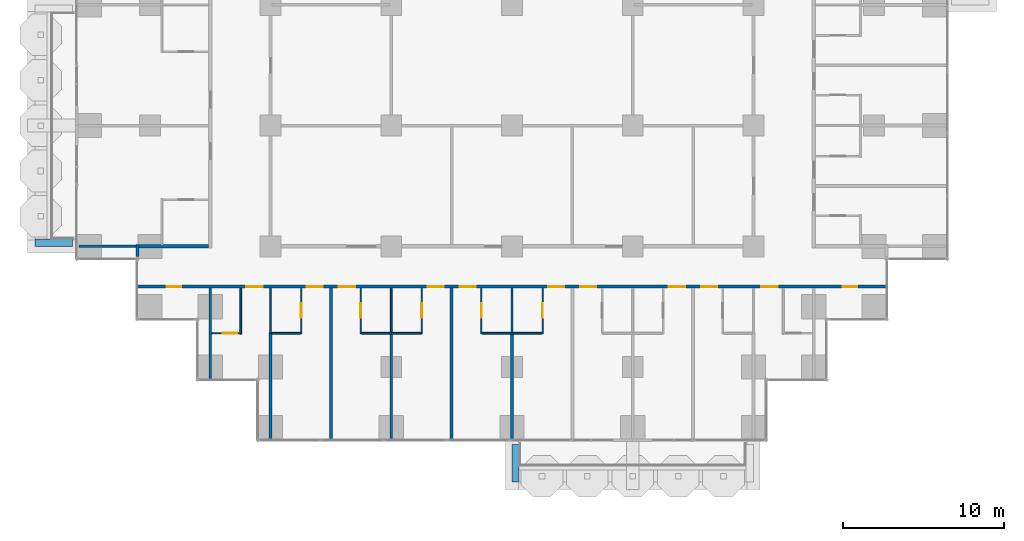
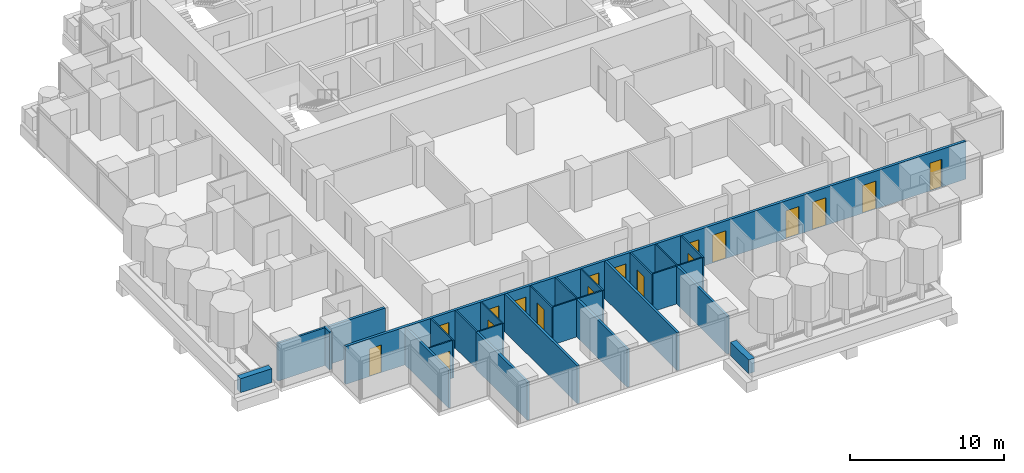
# One storey, part 11 of 20: 25 walls, 18 doors, 18 openings.
"""IFC4 building model written with IfcOpenShell, lengths in metres."""

from ifc_helpers import new_model, si_unit, direction, frame, frame_2d, origin, place, context, subcontext, project, spatial, rectangle, extrude, material, layer, layer_set, type_object, element, fill, save


model = new_model("IFC4")

# Units and contexts
model_context = context("Model", 3, precision=1e-05, world=origin(), true_north=direction((0.0, 1.0)))
body_context = subcontext(model_context, "Body", "Model", "MODEL_VIEW")
ifc_project = project(units=[si_unit("LENGTHUNIT", "METRE"), si_unit("AREAUNIT", "SQUARE_METRE"), si_unit("VOLUMEUNIT", "CUBIC_METRE"), si_unit("PLANEANGLEUNIT", "RADIAN"), si_unit("MASSUNIT", "GRAM", prefix="KILO")], contexts=[model_context])

# Site, building, storey
site_placement = place(None, origin())
site = spatial("IfcSite", under=ifc_project, at=site_placement, CompositionType="ELEMENT")
building_placement = place(site_placement, origin())
building = spatial("IfcBuilding", under=site, at=building_placement, Name="Pilkhan Gate Tower", CompositionType="ELEMENT")
storey_placement = place(building_placement, frame((0.0, 0.0, 92.300048828125)))
storey = spatial("IfcBuildingStorey", under=building, at=storey_placement, Name="L22", CompositionType="ELEMENT", Elevation=92.300048828125)

# Walls
ifc_material_1 = material(Name="Dense blockwork", Category="masonry")
ifc_layer_1 = layer(ifc_material_1, 0.175048828125)
ifc_layer_set_1 = layer_set([ifc_layer_1], Name="Acoustic party wall PW175")
wall_type_1 = type_object("IfcWallType", Name="Acoustic party wall PW175", PredefinedType="PARTITIONING", material=ifc_layer_set_1)
wall_1_placement = place(storey_placement, frame((60.0, 40.485107421875, 0.0), z_axis=(0.0, 0.0, 1.0), x_axis=(0.0, 1.0, 0.0)))
element("IfcWall", 1, at=wall_1_placement, inside=storey, type_object=wall_type_1, Name="Partition L22", PredefinedType="PARTITIONING", context=body_context, shape_type="SweptSolid", body=[
    extrude(rectangle(XDim=6.664794921875, YDim=0.175048828125, at=frame_2d((3.33251953125, 0.0))), origin(), (0.0, 0.0, 1.0), 3.0),
])
wall_2_placement = place(storey_placement, frame((63.75, 40.485107421875, 0.0), z_axis=(0.0, 0.0, 1.0), x_axis=(0.0, 1.0, 0.0)))
element("IfcWall", 2, at=wall_2_placement, inside=storey, type_object=wall_type_1, Name="Partition L22", PredefinedType="PARTITIONING", context=body_context, shape_type="SweptSolid", body=[
    extrude(rectangle(XDim=9.414794921875, YDim=0.175048828125, at=frame_2d((4.70751953125, 0.0))), origin(), (0.0, 0.0, 1.0), 3.0),
])
wall_3_placement = place(storey_placement, frame((67.5, 40.485107421875, 0.0), z_axis=(0.0, 0.0, 1.0), x_axis=(0.0, 1.0, 0.0)))
element("IfcWall", 3, at=wall_3_placement, inside=storey, type_object=wall_type_1, Name="Partition L22", PredefinedType="PARTITIONING", context=body_context, shape_type="SweptSolid", body=[
    extrude(rectangle(XDim=6.56494140625, YDim=0.175048828125, at=frame_2d((3.282470703125, 0.0))), origin(), (0.0, 0.0, 1.0), 3.0),
])
wall_4_placement = place(storey_placement, frame((71.25, 40.485107421875, 0.0), z_axis=(0.0, 0.0, 1.0), x_axis=(0.0, 1.0, 0.0)))
element("IfcWall", 4, at=wall_4_placement, inside=storey, type_object=wall_type_1, Name="Partition L22", PredefinedType="PARTITIONING", context=body_context, shape_type="SweptSolid", body=[
    extrude(rectangle(XDim=9.414794921875, YDim=0.175048828125, at=frame_2d((4.70751953125, 0.0))), origin(), (0.0, 0.0, 1.0), 3.0),
])
wall_5_placement = place(storey_placement, frame((75.0, 40.485107421875, 0.0), z_axis=(0.0, 0.0, 1.0), x_axis=(0.0, 1.0, 0.0)))
element("IfcWall", 5, at=wall_5_placement, inside=storey, type_object=wall_type_1, Name="Partition L22", PredefinedType="PARTITIONING", context=body_context, shape_type="SweptSolid", body=[
    extrude(rectangle(XDim=6.56494140625, YDim=0.175048828125, at=frame_2d((3.282470703125, 0.0))), origin(), (0.0, 0.0, 1.0), 3.0),
])
ifc_material_2 = material(Name="Board-marked Concrete C40/50", Category="concrete")
ifc_layer_2 = layer(ifc_material_2, 0.449951171875)
ifc_layer_set_2 = layer_set([ifc_layer_2], Name="Balcony planter lip BL450")
wall_type_2 = type_object("IfcWallType", Name="Balcony planter lip BL450", PredefinedType="USERDEFINED", material=ifc_layer_set_2)
for number, where, z_axis, x_axis, name in (
    (6, (75.22509765625, 40.199951171875, 0.0), (0.0, 0.0, 1.0), (0.0, -1.0, 0.0), "Balcony planter L22 S"),
    (7, (47.699951171875, 52.72509765625, 0.0), (0.0, 0.0, 1.0), (-1.0, 0.0, 0.0), "Balcony planter L22 W"),
):
    element("IfcWall", number, at=place(storey_placement, frame(where, z_axis=z_axis, x_axis=x_axis)), inside=storey, type_object=wall_type_2, Name=name, ObjectType="BALCONY PLANTER", PredefinedType="USERDEFINED", context=body_context, shape_type="SweptSolid", body=[
        extrude(rectangle(XDim=2.349853515625, YDim=0.449951171875, at=frame_2d((1.1748046875, 0.0))), origin(), (0.0, 0.0, 1.0), 1.099853515625),
    ])

# Wall, openings, doors
ifc_layer_3 = layer(ifc_material_1, 0.199951171875)
ifc_layer_set_3 = layer_set([ifc_layer_3], Name="Corridor wall FW200")
wall_type_3 = type_object("IfcWallType", Name="Corridor wall FW200", PredefinedType="PARTITIONING", material=ifc_layer_set_3)
wall_6_placement = place(storey_placement, frame((51.735107421875, 50.0, 0.0), z_axis=(0.0, 0.0, 1.0), x_axis=(1.0, 0.0, 0.0)))
wall_6 = element("IfcWall", 8, at=wall_6_placement, inside=storey, type_object=wall_type_3, Name="Partition L22", PredefinedType="PARTITIONING", context=body_context, shape_type="SweptSolid", body=[
    extrude(rectangle(XDim=46.52978515625, YDim=0.199951171875, at=frame_2d((23.264892578125, 0.0))), origin(), (0.0, 0.0, 1.0), 3.0),
])
opening_1_placement = place(wall_6_placement, frame((6.764892578125, 0.0, 0.0)))
opening_1 = element("IfcOpeningElement", 9, at=opening_1_placement, cuts=wall_6, Name="Opening L22-06", PredefinedType="OPENING", context=body_context, shape_type="SweptSolid", body=[
    extrude(rectangle(XDim=1.0, YDim=2.199951171875, at=frame_2d((0.5, 1.10009765625))), frame((0.0, 0.10986328125, 0.0), z_axis=(0.0, -1.0, 0.0), x_axis=(1.0, 0.0, 0.0)), (0.0, 0.0, 1.0), 0.219970703125),
])
opening_2_placement = place(wall_6_placement, frame((10.514892578125, 0.0, 0.0)))
opening_2 = element("IfcOpeningElement", 10, at=opening_2_placement, cuts=wall_6, Name="Opening L22-08", PredefinedType="OPENING", context=body_context, shape_type="SweptSolid", body=[
    extrude(rectangle(XDim=1.0, YDim=2.199951171875, at=frame_2d((0.5, 1.10009765625))), frame((0.0, 0.10986328125, 0.0), z_axis=(0.0, -1.0, 0.0), x_axis=(1.0, 0.0, 0.0)), (0.0, 0.0, 1.0), 0.219970703125),
])
opening_3_placement = place(wall_6_placement, frame((12.514892578125, 0.0, 0.0)))
opening_3 = element("IfcOpeningElement", 11, at=opening_3_placement, cuts=wall_6, Name="Opening L22-10", PredefinedType="OPENING", context=body_context, shape_type="SweptSolid", body=[
    extrude(rectangle(XDim=1.0, YDim=2.199951171875, at=frame_2d((0.5, 1.10009765625))), frame((0.0, 0.10986328125, 0.0), z_axis=(0.0, -1.0, 0.0), x_axis=(1.0, 0.0, 0.0)), (0.0, 0.0, 1.0), 0.219970703125),
])
opening_4_placement = place(wall_6_placement, frame((18.014892578125, 0.0, 0.0)))
opening_4 = element("IfcOpeningElement", 12, at=opening_4_placement, cuts=wall_6, Name="Opening L22-12", PredefinedType="OPENING", context=body_context, shape_type="SweptSolid", body=[
    extrude(rectangle(XDim=1.0, YDim=2.199951171875, at=frame_2d((0.5, 1.10009765625))), frame((0.0, 0.10986328125, 0.0), z_axis=(0.0, -1.0, 0.0), x_axis=(1.0, 0.0, 0.0)), (0.0, 0.0, 1.0), 0.219970703125),
])
opening_5_placement = place(wall_6_placement, frame((20.014892578125, 0.0, 0.0)))
opening_5 = element("IfcOpeningElement", 13, at=opening_5_placement, cuts=wall_6, Name="Opening L22-14", PredefinedType="OPENING", context=body_context, shape_type="SweptSolid", body=[
    extrude(rectangle(XDim=1.0, YDim=2.199951171875, at=frame_2d((0.5, 1.10009765625))), frame((0.0, 0.10986328125, 0.0), z_axis=(0.0, -1.0, 0.0), x_axis=(1.0, 0.0, 0.0)), (0.0, 0.0, 1.0), 0.219970703125),
])
opening_6_placement = place(wall_6_placement, frame((25.514892578125, 0.0, 0.0)))
opening_6 = element("IfcOpeningElement", 14, at=opening_6_placement, cuts=wall_6, Name="Opening L22-16", PredefinedType="OPENING", context=body_context, shape_type="SweptSolid", body=[
    extrude(rectangle(XDim=1.0, YDim=2.199951171875, at=frame_2d((0.5, 1.10009765625))), frame((0.0, 0.10986328125, 0.0), z_axis=(0.0, -1.0, 0.0), x_axis=(1.0, 0.0, 0.0)), (0.0, 0.0, 1.0), 0.219970703125),
])
opening_7_placement = place(wall_6_placement, frame((27.514892578125, 0.0, 0.0)))
opening_7 = element("IfcOpeningElement", 15, at=opening_7_placement, cuts=wall_6, Name="Opening L22-18", PredefinedType="OPENING", context=body_context, shape_type="SweptSolid", body=[
    extrude(rectangle(XDim=1.0, YDim=2.199951171875, at=frame_2d((0.5, 1.10009765625))), frame((0.0, 0.10986328125, 0.0), z_axis=(0.0, -1.0, 0.0), x_axis=(1.0, 0.0, 0.0)), (0.0, 0.0, 1.0), 0.219970703125),
])
opening_8_placement = place(wall_6_placement, frame((33.014892578125, 0.0, 0.0)))
opening_8 = element("IfcOpeningElement", 16, at=opening_8_placement, cuts=wall_6, Name="Opening L22-20", PredefinedType="OPENING", context=body_context, shape_type="SweptSolid", body=[
    extrude(rectangle(XDim=1.0, YDim=2.199951171875, at=frame_2d((0.5, 1.10009765625))), frame((0.0, 0.10986328125, 0.0), z_axis=(0.0, -1.0, 0.0), x_axis=(1.0, 0.0, 0.0)), (0.0, 0.0, 1.0), 0.219970703125),
])
opening_9_placement = place(wall_6_placement, frame((35.014892578125, 0.0, 0.0)))
opening_9 = element("IfcOpeningElement", 17, at=opening_9_placement, cuts=wall_6, Name="Opening L22-22", PredefinedType="OPENING", context=body_context, shape_type="SweptSolid", body=[
    extrude(rectangle(XDim=1.0, YDim=2.199951171875, at=frame_2d((0.5, 1.10009765625))), frame((0.0, 0.10986328125, 0.0), z_axis=(0.0, -1.0, 0.0), x_axis=(1.0, 0.0, 0.0)), (0.0, 0.0, 1.0), 0.219970703125),
])
opening_10_placement = place(wall_6_placement, frame((38.764892578125, 0.0, 0.0)))
opening_10 = element("IfcOpeningElement", 18, at=opening_10_placement, cuts=wall_6, Name="Opening L22-24", PredefinedType="OPENING", context=body_context, shape_type="SweptSolid", body=[
    extrude(rectangle(XDim=1.0, YDim=2.199951171875, at=frame_2d((0.5, 1.10009765625))), frame((0.0, 0.10986328125, 0.0), z_axis=(0.0, -1.0, 0.0), x_axis=(1.0, 0.0, 0.0)), (0.0, 0.0, 1.0), 0.219970703125),
])
opening_11_placement = place(wall_6_placement, frame((1.800048828125, 0.0, 0.0)))
opening_11 = element("IfcOpeningElement", 19, at=opening_11_placement, cuts=wall_6, Name="Opening L22-57", PredefinedType="OPENING", context=body_context, shape_type="SweptSolid", body=[
    extrude(rectangle(XDim=0.89990234375, YDim=2.199951171875, at=frame_2d((0.449951171875, 1.10009765625))), frame((0.0, 0.10986328125, 0.0), z_axis=(0.0, -1.0, 0.0), x_axis=(1.0, 0.0, 0.0)), (0.0, 0.0, 1.0), 0.219970703125),
])
opening_12_placement = place(wall_6_placement, frame((43.81494140625, 0.0, 0.0)))
opening_12 = element("IfcOpeningElement", 20, at=opening_12_placement, cuts=wall_6, Name="Opening L22-58", PredefinedType="OPENING", context=body_context, shape_type="SweptSolid", body=[
    extrude(rectangle(XDim=0.89990234375, YDim=2.199951171875, at=frame_2d((0.449951171875, 1.10009765625))), frame((0.0, 0.10986328125, 0.0), z_axis=(0.0, -1.0, 0.0), x_axis=(1.0, 0.0, 0.0)), (0.0, 0.0, 1.0), 0.219970703125),
])
ifc_material_3 = material(Name="Timber flush door, 30 minute fire resisting", Category="wood")
door_type_1 = type_object("IfcDoorType", Name="Guest room door D01 1000x2200", OperationType="SINGLE_SWING_LEFT", PredefinedType="DOOR", material=ifc_material_3)
door_1_placement = place(opening_1_placement, origin())
door_1 = element("IfcDoor", 21, at=door_1_placement, inside=storey, type_object=door_type_1, Name="Guest room door", OperationType="SINGLE_SWING_RIGHT", OverallHeight=2.199951171875, OverallWidth=1.0, PredefinedType="DOOR", context=body_context, shape_type="SweptSolid", body=[
    extrude(rectangle(XDim=1.0, YDim=2.199951171875, at=frame_2d((0.5, 1.10009765625))), frame((0.0, 0.02490234375, 0.0), z_axis=(0.0, -1.0, 0.0), x_axis=(1.0, 0.0, 0.0)), (0.0, 0.0, 1.0), 0.050048828125),
])
fill(opening_1, door_1)
door_2_placement = place(opening_2_placement, origin())
door_2 = element("IfcDoor", 22, at=door_2_placement, inside=storey, type_object=door_type_1, Name="Guest room door", OperationType="SINGLE_SWING_RIGHT", OverallHeight=2.199951171875, OverallWidth=1.0, PredefinedType="DOOR", context=body_context, shape_type="SweptSolid", body=[
    extrude(rectangle(XDim=1.0, YDim=2.199951171875, at=frame_2d((0.5, 1.10009765625))), frame((0.0, 0.02490234375, 0.0), z_axis=(0.0, -1.0, 0.0), x_axis=(1.0, 0.0, 0.0)), (0.0, 0.0, 1.0), 0.050048828125),
])
fill(opening_2, door_2)
door_3_placement = place(opening_3_placement, origin())
door_3 = element("IfcDoor", 23, at=door_3_placement, inside=storey, type_object=door_type_1, Name="Guest room door", OperationType="SINGLE_SWING_RIGHT", OverallHeight=2.199951171875, OverallWidth=1.0, PredefinedType="DOOR", context=body_context, shape_type="SweptSolid", body=[
    extrude(rectangle(XDim=1.0, YDim=2.199951171875, at=frame_2d((0.5, 1.10009765625))), frame((0.0, 0.02490234375, 0.0), z_axis=(0.0, -1.0, 0.0), x_axis=(1.0, 0.0, 0.0)), (0.0, 0.0, 1.0), 0.050048828125),
])
fill(opening_3, door_3)
door_4_placement = place(opening_4_placement, origin())
door_4 = element("IfcDoor", 24, at=door_4_placement, inside=storey, type_object=door_type_1, Name="Guest room door", OperationType="SINGLE_SWING_LEFT", OverallHeight=2.199951171875, OverallWidth=1.0, PredefinedType="DOOR", context=body_context, shape_type="SweptSolid", body=[
    extrude(rectangle(XDim=1.0, YDim=2.199951171875, at=frame_2d((0.5, 1.10009765625))), frame((0.0, 0.02490234375, 0.0), z_axis=(0.0, -1.0, 0.0), x_axis=(1.0, 0.0, 0.0)), (0.0, 0.0, 1.0), 0.050048828125),
])
fill(opening_4, door_4)
door_5_placement = place(opening_5_placement, origin())
door_5 = element("IfcDoor", 25, at=door_5_placement, inside=storey, type_object=door_type_1, Name="Guest room door", OperationType="SINGLE_SWING_RIGHT", OverallHeight=2.199951171875, OverallWidth=1.0, PredefinedType="DOOR", context=body_context, shape_type="SweptSolid", body=[
    extrude(rectangle(XDim=1.0, YDim=2.199951171875, at=frame_2d((0.5, 1.10009765625))), frame((0.0, 0.02490234375, 0.0), z_axis=(0.0, -1.0, 0.0), x_axis=(1.0, 0.0, 0.0)), (0.0, 0.0, 1.0), 0.050048828125),
])
fill(opening_5, door_5)
door_6_placement = place(opening_6_placement, origin())
door_6 = element("IfcDoor", 26, at=door_6_placement, inside=storey, type_object=door_type_1, Name="Guest room door", OperationType="SINGLE_SWING_LEFT", OverallHeight=2.199951171875, OverallWidth=1.0, PredefinedType="DOOR", context=body_context, shape_type="SweptSolid", body=[
    extrude(rectangle(XDim=1.0, YDim=2.199951171875, at=frame_2d((0.5, 1.10009765625))), frame((0.0, 0.02490234375, 0.0), z_axis=(0.0, -1.0, 0.0), x_axis=(1.0, 0.0, 0.0)), (0.0, 0.0, 1.0), 0.050048828125),
])
fill(opening_6, door_6)
door_7_placement = place(opening_7_placement, origin())
door_7 = element("IfcDoor", 27, at=door_7_placement, inside=storey, type_object=door_type_1, Name="Guest room door", OperationType="SINGLE_SWING_LEFT", OverallHeight=2.199951171875, OverallWidth=1.0, PredefinedType="DOOR", context=body_context, shape_type="SweptSolid", body=[
    extrude(rectangle(XDim=1.0, YDim=2.199951171875, at=frame_2d((0.5, 1.10009765625))), frame((0.0, 0.02490234375, 0.0), z_axis=(0.0, -1.0, 0.0), x_axis=(1.0, 0.0, 0.0)), (0.0, 0.0, 1.0), 0.050048828125),
])
fill(opening_7, door_7)
door_8_placement = place(opening_8_placement, origin())
door_8 = element("IfcDoor", 28, at=door_8_placement, inside=storey, type_object=door_type_1, Name="Guest room door", OperationType="SINGLE_SWING_LEFT", OverallHeight=2.199951171875, OverallWidth=1.0, PredefinedType="DOOR", context=body_context, shape_type="SweptSolid", body=[
    extrude(rectangle(XDim=1.0, YDim=2.199951171875, at=frame_2d((0.5, 1.10009765625))), frame((0.0, 0.02490234375, 0.0), z_axis=(0.0, -1.0, 0.0), x_axis=(1.0, 0.0, 0.0)), (0.0, 0.0, 1.0), 0.050048828125),
])
fill(opening_8, door_8)
door_9_placement = place(opening_9_placement, origin())
door_9 = element("IfcDoor", 29, at=door_9_placement, inside=storey, type_object=door_type_1, Name="Guest room door", OperationType="SINGLE_SWING_LEFT", OverallHeight=2.199951171875, OverallWidth=1.0, PredefinedType="DOOR", context=body_context, shape_type="SweptSolid", body=[
    extrude(rectangle(XDim=1.0, YDim=2.199951171875, at=frame_2d((0.5, 1.10009765625))), frame((0.0, 0.02490234375, 0.0), z_axis=(0.0, -1.0, 0.0), x_axis=(1.0, 0.0, 0.0)), (0.0, 0.0, 1.0), 0.050048828125),
])
fill(opening_9, door_9)
door_10_placement = place(opening_10_placement, origin())
door_10 = element("IfcDoor", 30, at=door_10_placement, inside=storey, type_object=door_type_1, Name="Guest room door", OperationType="SINGLE_SWING_LEFT", OverallHeight=2.199951171875, OverallWidth=1.0, PredefinedType="DOOR", context=body_context, shape_type="SweptSolid", body=[
    extrude(rectangle(XDim=1.0, YDim=2.199951171875, at=frame_2d((0.5, 1.10009765625))), frame((0.0, 0.02490234375, 0.0), z_axis=(0.0, -1.0, 0.0), x_axis=(1.0, 0.0, 0.0)), (0.0, 0.0, 1.0), 0.050048828125),
])
fill(opening_10, door_10)
ifc_material_4 = material(Name="Timber flush door, 60 minute fire resisting, self-closing", Category="wood")
door_type_2 = type_object("IfcDoorType", Name="Store door D05 900x2200", OperationType="SINGLE_SWING_LEFT", PredefinedType="DOOR", material=ifc_material_4)
door_11_placement = place(opening_11_placement, origin())
door_11 = element("IfcDoor", 31, at=door_11_placement, inside=storey, type_object=door_type_2, Name="Store door", OperationType="SINGLE_SWING_RIGHT", OverallHeight=2.199951171875, OverallWidth=0.89990234375, PredefinedType="DOOR", context=body_context, shape_type="SweptSolid", body=[
    extrude(rectangle(XDim=0.89990234375, YDim=2.199951171875, at=frame_2d((0.449951171875, 1.10009765625))), frame((0.0, 0.02490234375, 0.0), z_axis=(0.0, -1.0, 0.0), x_axis=(1.0, 0.0, 0.0)), (0.0, 0.0, 1.0), 0.050048828125),
])
fill(opening_11, door_11)
door_12_placement = place(opening_12_placement, origin())
door_12 = element("IfcDoor", 32, at=door_12_placement, inside=storey, type_object=door_type_2, Name="Store door", OperationType="SINGLE_SWING_LEFT", OverallHeight=2.199951171875, OverallWidth=0.89990234375, PredefinedType="DOOR", context=body_context, shape_type="SweptSolid", body=[
    extrude(rectangle(XDim=0.89990234375, YDim=2.199951171875, at=frame_2d((0.449951171875, 1.10009765625))), frame((0.0, 0.02490234375, 0.0), z_axis=(0.0, -1.0, 0.0), x_axis=(1.0, 0.0, 0.0)), (0.0, 0.0, 1.0), 0.050048828125),
])
fill(opening_12, door_12)

# Walls
wall_7_placement = place(storey_placement, frame((51.8349609375, 52.5, 0.0), z_axis=(0.0, 0.0, 1.0), x_axis=(1.0, 0.0, 0.0)))
element("IfcWall", 33, at=wall_7_placement, inside=storey, type_object=wall_type_3, Name="Partition L22", PredefinedType="PARTITIONING", context=body_context, shape_type="SweptSolid", body=[
    extrude(rectangle(XDim=4.31494140625, YDim=0.199951171875, at=frame_2d((2.157470703125, 0.0))), origin(), (0.0, 0.0, 1.0), 3.0),
])
wall_8_placement = place(storey_placement, frame((51.735107421875, 51.85498046875, 0.0), z_axis=(0.0, 0.0, 1.0), x_axis=(0.0, 1.0, 0.0)))
element("IfcWall", 34, at=wall_8_placement, inside=storey, type_object=wall_type_3, Name="Partition L22", PredefinedType="PARTITIONING", context=body_context, shape_type="SweptSolid", body=[
    extrude(rectangle(XDim=0.7451171875, YDim=0.199951171875, at=frame_2d((0.37255859375, 0.0))), origin(), (0.0, 0.0, 1.0), 3.0),
])
ifc_material_5 = material(Name="Blockwork partition, plastered both sides", Category="masonry")
ifc_layer_4 = layer(ifc_material_5, 0.14990234375)
ifc_layer_set_4 = layer_set([ifc_layer_4], Name="Partition PW150")
wall_type_4 = type_object("IfcWallType", Name="Partition PW150", PredefinedType="PARTITIONING", material=ifc_layer_set_4)
wall_9_placement = place(storey_placement, frame((48.10498046875, 52.5, 0.0), z_axis=(0.0, 0.0, 1.0), x_axis=(1.0, 0.0, 0.0)))
element("IfcWall", 35, at=wall_9_placement, inside=storey, type_object=wall_type_4, Name="Partition L22", PredefinedType="PARTITIONING", context=body_context, shape_type="SweptSolid", body=[
    extrude(rectangle(XDim=3.530029296875, YDim=0.14990234375, at=frame_2d((1.76513671875, 0.0))), origin(), (0.0, 0.0, 1.0), 3.0),
])
wall_10_placement = place(storey_placement, frame((56.25, 44.235107421875, 0.0), z_axis=(0.0, 0.0, 1.0), x_axis=(0.0, 1.0, 0.0)))
element("IfcWall", 36, at=wall_10_placement, inside=storey, type_object=wall_type_4, Name="Partition L22", PredefinedType="PARTITIONING", context=body_context, shape_type="SweptSolid", body=[
    extrude(rectangle(XDim=5.664794921875, YDim=0.14990234375, at=frame_2d((2.83251953125, 0.0))), origin(), (0.0, 0.0, 1.0), 3.0),
])

# Wall, opening, door
ifc_material_6 = material(Name="Moisture resistant board, tiled")
ifc_layer_5 = layer(ifc_material_6, 0.10009765625)
ifc_layer_set_5 = layer_set([ifc_layer_5], Name="Wet wall PW100")
wall_type_5 = type_object("IfcWallType", Name="Wet wall PW100", PredefinedType="PARTITIONING", material=ifc_layer_set_5)
wall_11_placement = place(storey_placement, frame((56.324951171875, 47.10009765625, 0.0), z_axis=(0.0, 0.0, 1.0), x_axis=(1.0, 0.0, 0.0)))
wall_11 = element("IfcWall", 37, at=wall_11_placement, inside=storey, type_object=wall_type_5, Name="Partition L22", PredefinedType="PARTITIONING", context=body_context, shape_type="SweptSolid", body=[
    extrude(rectangle(XDim=1.775146484375, YDim=0.10009765625, at=frame_2d((0.8876953125, 0.0))), origin(), (0.0, 0.0, 1.0), 3.0),
])
opening_13_placement = place(wall_11_placement, frame((0.699951171875, 0.0, 0.0)))
opening_13 = element("IfcOpeningElement", 38, at=opening_13_placement, cuts=wall_11, Name="Opening L22-07", PredefinedType="OPENING", context=body_context, shape_type="SweptSolid", body=[
    extrude(rectangle(XDim=0.89990234375, YDim=2.199951171875, at=frame_2d((0.449951171875, 1.10009765625))), frame((0.0, 0.06005859375, 0.0), z_axis=(0.0, -1.0, 0.0), x_axis=(1.0, 0.0, 0.0)), (0.0, 0.0, 1.0), 0.1201171875),
])
ifc_material_7 = material(Name="Timber flush door", Category="wood")
door_type_3 = type_object("IfcDoorType", Name="Bathroom door D02 900x2200", OperationType="SINGLE_SWING_RIGHT", PredefinedType="DOOR", material=ifc_material_7)
door_13_placement = place(opening_13_placement, origin())
door_13 = element("IfcDoor", 39, at=door_13_placement, inside=storey, type_object=door_type_3, Name="Bathroom door", OperationType="SINGLE_SWING_RIGHT", OverallHeight=2.199951171875, OverallWidth=0.89990234375, PredefinedType="DOOR", context=body_context, shape_type="SweptSolid", body=[
    extrude(rectangle(XDim=0.89990234375, YDim=2.199951171875, at=frame_2d((0.449951171875, 1.10009765625))), frame((0.0, 0.02490234375, 0.0), z_axis=(0.0, -1.0, 0.0), x_axis=(1.0, 0.0, 0.0)), (0.0, 0.0, 1.0), 0.050048828125),
])
fill(opening_13, door_13)

# Walls
wall_12_placement = place(storey_placement, frame((60.087890625, 47.10009765625, 0.0), z_axis=(0.0, 0.0, 1.0), x_axis=(1.0, 0.0, 0.0)))
element("IfcWall", 40, at=wall_12_placement, inside=storey, type_object=wall_type_5, Name="Partition L22", PredefinedType="PARTITIONING", context=body_context, shape_type="SweptSolid", body=[
    extrude(rectangle(XDim=1.76220703125, YDim=0.10009765625, at=frame_2d((0.881103515625, 0.0))), origin(), (0.0, 0.0, 1.0), 3.0),
])
for number, where, z_axis, x_axis, name in (
    (41, (65.64990234375, 47.10009765625, 0.0), (0.0, 0.0, 1.0), (1.0, 0.0, 0.0), "Partition L22"),
    (42, (73.14990234375, 47.10009765625, 0.0), (0.0, 0.0, 1.0), (1.0, 0.0, 0.0), "Partition L22"),
):
    element("IfcWall", number, at=place(storey_placement, frame(where, z_axis=z_axis, x_axis=x_axis)), inside=storey, type_object=wall_type_5, Name=name, PredefinedType="PARTITIONING", context=body_context, shape_type="SweptSolid", body=[
        extrude(rectangle(XDim=3.7001953125, YDim=0.10009765625, at=frame_2d((1.85009765625, 0.0))), origin(), (0.0, 0.0, 1.0), 3.0),
    ])
wall_13_placement = place(storey_placement, frame((58.14990234375, 47.050048828125, 0.0), z_axis=(0.0, 0.0, 1.0), x_axis=(0.0, 1.0, 0.0)))
element("IfcWall", 43, at=wall_13_placement, inside=storey, type_object=wall_type_5, Name="Partition L22", PredefinedType="PARTITIONING", context=body_context, shape_type="SweptSolid", body=[
    extrude(rectangle(XDim=2.849853515625, YDim=0.10009765625, at=frame_2d((1.4248046875, 0.0))), origin(), (0.0, 0.0, 1.0), 3.0),
])
wall_14_placement = place(storey_placement, frame((60.0, 47.10009765625, 0.0), z_axis=(0.0, 0.0, 1.0), x_axis=(0.0, 1.0, 0.0)))
element("IfcWall", 44, at=wall_14_placement, inside=storey, type_object=wall_type_5, Name="Partition L22", PredefinedType="PARTITIONING", context=body_context, shape_type="SweptSolid", body=[
    extrude(rectangle(XDim=2.7998046875, YDim=0.10009765625, at=frame_2d((1.39990234375, 0.0))), origin(), (0.0, 0.0, 1.0), 3.0),
])

# Wall, opening, door
wall_15_placement = place(storey_placement, frame((61.89990234375, 47.050048828125, 0.0), z_axis=(0.0, 0.0, 1.0), x_axis=(0.0, 1.0, 0.0)))
wall_15 = element("IfcWall", 45, at=wall_15_placement, inside=storey, type_object=wall_type_5, Name="Partition L22", PredefinedType="PARTITIONING", context=body_context, shape_type="SweptSolid", body=[
    extrude(rectangle(XDim=2.849853515625, YDim=0.10009765625, at=frame_2d((1.4248046875, 0.0))), origin(), (0.0, 0.0, 1.0), 3.0),
])
opening_14_placement = place(wall_15_placement, frame((1.0, 0.0, 0.0)))
opening_14 = element("IfcOpeningElement", 46, at=opening_14_placement, cuts=wall_15, Name="Opening L22-09", PredefinedType="OPENING", context=body_context, shape_type="SweptSolid", body=[
    extrude(rectangle(XDim=0.89990234375, YDim=2.199951171875, at=frame_2d((0.449951171875, 1.10009765625))), frame((0.0, 0.06005859375, 0.0), z_axis=(0.0, -1.0, 0.0), x_axis=(1.0, 0.0, 0.0)), (0.0, 0.0, 1.0), 0.1201171875),
])
door_14_placement = place(opening_14_placement, origin())
door_14 = element("IfcDoor", 47, at=door_14_placement, inside=storey, type_object=door_type_3, Name="Bathroom door", OperationType="SINGLE_SWING_RIGHT", OverallHeight=2.199951171875, OverallWidth=0.89990234375, PredefinedType="DOOR", context=body_context, shape_type="SweptSolid", body=[
    extrude(rectangle(XDim=0.89990234375, YDim=2.199951171875, at=frame_2d((0.449951171875, 1.10009765625))), frame((0.0, 0.02490234375, 0.0), z_axis=(0.0, -1.0, 0.0), x_axis=(1.0, 0.0, 0.0)), (0.0, 0.0, 1.0), 0.050048828125),
])
fill(opening_14, door_14)

wall_16_placement = place(storey_placement, frame((65.60009765625, 47.050048828125, 0.0), z_axis=(0.0, 0.0, 1.0), x_axis=(0.0, 1.0, 0.0)))
wall_16 = element("IfcWall", 48, at=wall_16_placement, inside=storey, type_object=wall_type_5, Name="Partition L22", PredefinedType="PARTITIONING", context=body_context, shape_type="SweptSolid", body=[
    extrude(rectangle(XDim=2.849853515625, YDim=0.10009765625, at=frame_2d((1.4248046875, 0.0))), origin(), (0.0, 0.0, 1.0), 3.0),
])
opening_15_placement = place(wall_16_placement, frame((1.0, 0.0, 0.0)))
opening_15 = element("IfcOpeningElement", 49, at=opening_15_placement, cuts=wall_16, Name="Opening L22-11", PredefinedType="OPENING", context=body_context, shape_type="SweptSolid", body=[
    extrude(rectangle(XDim=0.89990234375, YDim=2.199951171875, at=frame_2d((0.449951171875, 1.10009765625))), frame((0.0, 0.06005859375, 0.0), z_axis=(0.0, -1.0, 0.0), x_axis=(1.0, 0.0, 0.0)), (0.0, 0.0, 1.0), 0.1201171875),
])
door_15_placement = place(opening_15_placement, origin())
door_15 = element("IfcDoor", 50, at=door_15_placement, inside=storey, type_object=door_type_3, Name="Bathroom door", OperationType="SINGLE_SWING_RIGHT", OverallHeight=2.199951171875, OverallWidth=0.89990234375, PredefinedType="DOOR", context=body_context, shape_type="SweptSolid", body=[
    extrude(rectangle(XDim=0.89990234375, YDim=2.199951171875, at=frame_2d((0.449951171875, 1.10009765625))), frame((0.0, 0.02490234375, 0.0), z_axis=(0.0, -1.0, 0.0), x_axis=(1.0, 0.0, 0.0)), (0.0, 0.0, 1.0), 0.050048828125),
])
fill(opening_15, door_15)

# Wall
wall_17_placement = place(storey_placement, frame((67.5, 47.14990234375, 0.0), z_axis=(0.0, 0.0, 1.0), x_axis=(0.0, 1.0, 0.0)))
element("IfcWall", 51, at=wall_17_placement, inside=storey, type_object=wall_type_5, Name="Partition L22", PredefinedType="PARTITIONING", context=body_context, shape_type="SweptSolid", body=[
    extrude(rectangle(XDim=2.75, YDim=0.10009765625, at=frame_2d((1.375, 0.0))), origin(), (0.0, 0.0, 1.0), 3.0),
])

# Wall, opening, door
wall_18_placement = place(storey_placement, frame((69.39990234375, 47.050048828125, 0.0), z_axis=(0.0, 0.0, 1.0), x_axis=(0.0, 1.0, 0.0)))
wall_18 = element("IfcWall", 52, at=wall_18_placement, inside=storey, type_object=wall_type_5, Name="Partition L22", PredefinedType="PARTITIONING", context=body_context, shape_type="SweptSolid", body=[
    extrude(rectangle(XDim=2.849853515625, YDim=0.10009765625, at=frame_2d((1.4248046875, 0.0))), origin(), (0.0, 0.0, 1.0), 3.0),
])
opening_16_placement = place(wall_18_placement, frame((1.0, 0.0, 0.0)))
opening_16 = element("IfcOpeningElement", 53, at=opening_16_placement, cuts=wall_18, Name="Opening L22-13", PredefinedType="OPENING", context=body_context, shape_type="SweptSolid", body=[
    extrude(rectangle(XDim=0.89990234375, YDim=2.199951171875, at=frame_2d((0.449951171875, 1.10009765625))), frame((0.0, 0.06005859375, 0.0), z_axis=(0.0, -1.0, 0.0), x_axis=(1.0, 0.0, 0.0)), (0.0, 0.0, 1.0), 0.1201171875),
])
door_16_placement = place(opening_16_placement, origin())
door_16 = element("IfcDoor", 54, at=door_16_placement, inside=storey, type_object=door_type_3, Name="Bathroom door", OperationType="SINGLE_SWING_RIGHT", OverallHeight=2.199951171875, OverallWidth=0.89990234375, PredefinedType="DOOR", context=body_context, shape_type="SweptSolid", body=[
    extrude(rectangle(XDim=0.89990234375, YDim=2.199951171875, at=frame_2d((0.449951171875, 1.10009765625))), frame((0.0, 0.02490234375, 0.0), z_axis=(0.0, -1.0, 0.0), x_axis=(1.0, 0.0, 0.0)), (0.0, 0.0, 1.0), 0.050048828125),
])
fill(opening_16, door_16)

wall_19_placement = place(storey_placement, frame((73.10009765625, 47.050048828125, 0.0), z_axis=(0.0, 0.0, 1.0), x_axis=(0.0, 1.0, 0.0)))
wall_19 = element("IfcWall", 55, at=wall_19_placement, inside=storey, type_object=wall_type_5, Name="Partition L22", PredefinedType="PARTITIONING", context=body_context, shape_type="SweptSolid", body=[
    extrude(rectangle(XDim=2.849853515625, YDim=0.10009765625, at=frame_2d((1.4248046875, 0.0))), origin(), (0.0, 0.0, 1.0), 3.0),
])
opening_17_placement = place(wall_19_placement, frame((1.0, 0.0, 0.0)))
opening_17 = element("IfcOpeningElement", 56, at=opening_17_placement, cuts=wall_19, Name="Opening L22-15", PredefinedType="OPENING", context=body_context, shape_type="SweptSolid", body=[
    extrude(rectangle(XDim=0.89990234375, YDim=2.199951171875, at=frame_2d((0.449951171875, 1.10009765625))), frame((0.0, 0.06005859375, 0.0), z_axis=(0.0, -1.0, 0.0), x_axis=(1.0, 0.0, 0.0)), (0.0, 0.0, 1.0), 0.1201171875),
])
door_17_placement = place(opening_17_placement, origin())
door_17 = element("IfcDoor", 57, at=door_17_placement, inside=storey, type_object=door_type_3, Name="Bathroom door", OperationType="SINGLE_SWING_RIGHT", OverallHeight=2.199951171875, OverallWidth=0.89990234375, PredefinedType="DOOR", context=body_context, shape_type="SweptSolid", body=[
    extrude(rectangle(XDim=0.89990234375, YDim=2.199951171875, at=frame_2d((0.449951171875, 1.10009765625))), frame((0.0, 0.02490234375, 0.0), z_axis=(0.0, -1.0, 0.0), x_axis=(1.0, 0.0, 0.0)), (0.0, 0.0, 1.0), 0.050048828125),
])
fill(opening_17, door_17)

# Wall
wall_20_placement = place(storey_placement, frame((75.0, 47.14990234375, 0.0), z_axis=(0.0, 0.0, 1.0), x_axis=(0.0, 1.0, 0.0)))
element("IfcWall", 58, at=wall_20_placement, inside=storey, type_object=wall_type_5, Name="Partition L22", PredefinedType="PARTITIONING", context=body_context, shape_type="SweptSolid", body=[
    extrude(rectangle(XDim=2.75, YDim=0.10009765625, at=frame_2d((1.375, 0.0))), origin(), (0.0, 0.0, 1.0), 3.0),
])

# Wall, opening, door
wall_21_placement = place(storey_placement, frame((76.89990234375, 47.050048828125, 0.0), z_axis=(0.0, 0.0, 1.0), x_axis=(0.0, 1.0, 0.0)))
wall_21 = element("IfcWall", 59, at=wall_21_placement, inside=storey, type_object=wall_type_5, Name="Partition L22", PredefinedType="PARTITIONING", context=body_context, shape_type="SweptSolid", body=[
    extrude(rectangle(XDim=2.849853515625, YDim=0.10009765625, at=frame_2d((1.4248046875, 0.0))), origin(), (0.0, 0.0, 1.0), 3.0),
])
opening_18_placement = place(wall_21_placement, frame((1.0, 0.0, 0.0)))
opening_18 = element("IfcOpeningElement", 60, at=opening_18_placement, cuts=wall_21, Name="Opening L22-17", PredefinedType="OPENING", context=body_context, shape_type="SweptSolid", body=[
    extrude(rectangle(XDim=0.89990234375, YDim=2.199951171875, at=frame_2d((0.449951171875, 1.10009765625))), frame((0.0, 0.06005859375, 0.0), z_axis=(0.0, -1.0, 0.0), x_axis=(1.0, 0.0, 0.0)), (0.0, 0.0, 1.0), 0.1201171875),
])
door_18_placement = place(opening_18_placement, origin())
door_18 = element("IfcDoor", 61, at=door_18_placement, inside=storey, type_object=door_type_3, Name="Bathroom door", OperationType="SINGLE_SWING_RIGHT", OverallHeight=2.199951171875, OverallWidth=0.89990234375, PredefinedType="DOOR", context=body_context, shape_type="SweptSolid", body=[
    extrude(rectangle(XDim=0.89990234375, YDim=2.199951171875, at=frame_2d((0.449951171875, 1.10009765625))), frame((0.0, 0.02490234375, 0.0), z_axis=(0.0, -1.0, 0.0), x_axis=(1.0, 0.0, 0.0)), (0.0, 0.0, 1.0), 0.050048828125),
])
fill(opening_18, door_18)

save(model, "model.ifc")
